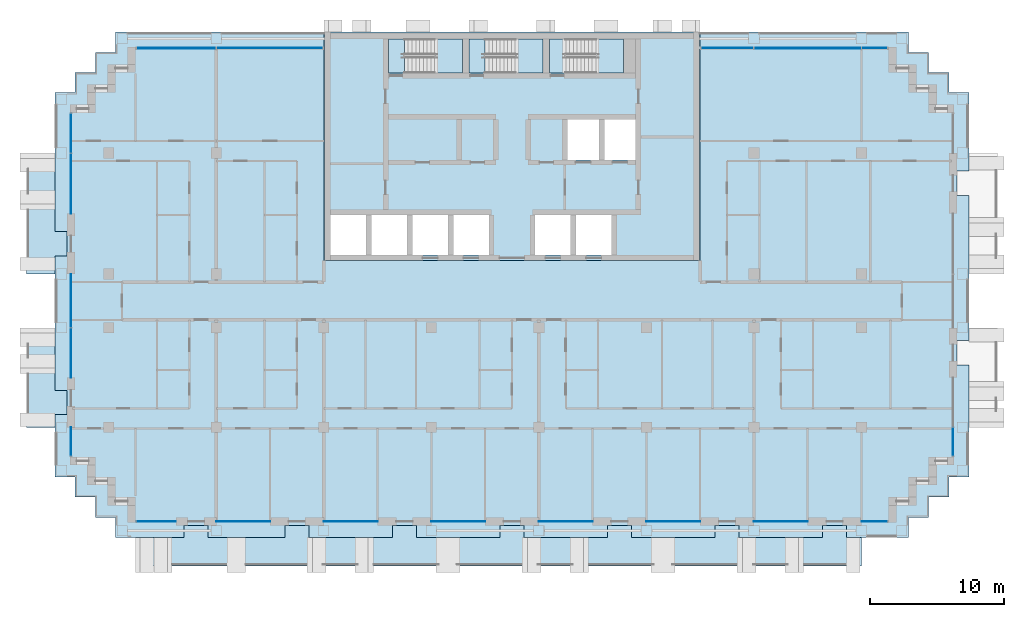
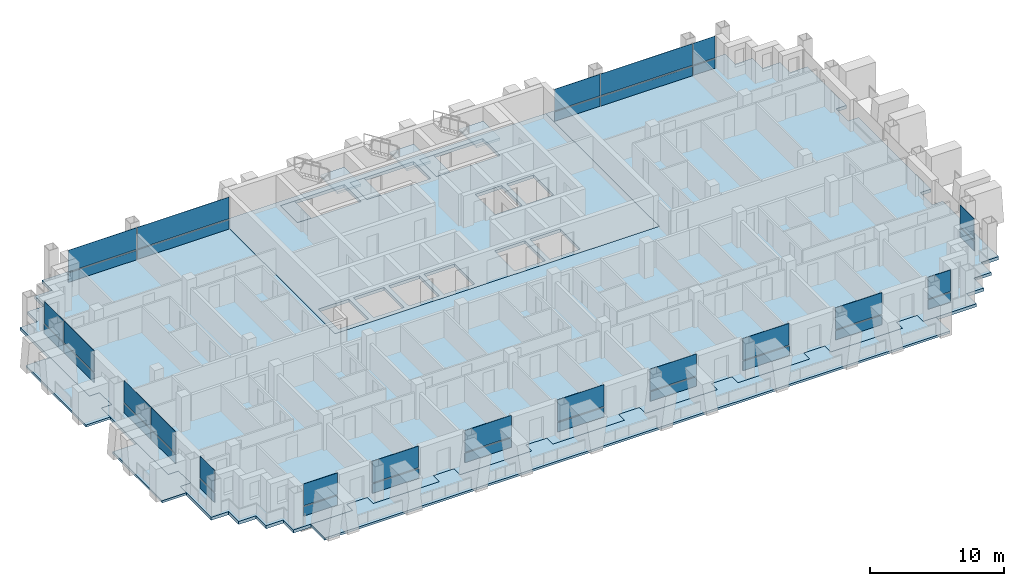
# One storey, part 6 of 17: 38 plates, 11 slabs, 17 elements without a shape of their own.
"""IFC4 building model written with IfcOpenShell, lengths in metres."""

from ifc_helpers import new_model, si_unit, direction, frame, origin, origin_2d, place, context, subcontext, project, spatial, polyline, rectangle, outline, extrude, material, layer, layer_set, type_object, element, aggregate, save


model = new_model("IFC4")

# Units and contexts
model_context = context("Model", 3, precision=1e-05, world=origin(), true_north=direction((0.0, 1.0)))
body_context = subcontext(model_context, "Body", "Model", "MODEL_VIEW")
ifc_project = project(units=[si_unit("LENGTHUNIT", "METRE"), si_unit("AREAUNIT", "SQUARE_METRE"), si_unit("VOLUMEUNIT", "CUBIC_METRE"), si_unit("PLANEANGLEUNIT", "RADIAN"), si_unit("MASSUNIT", "GRAM", prefix="KILO")], contexts=[model_context])

# Site, building, storey
site_placement = place(None, origin())
site = spatial("IfcSite", under=ifc_project, at=site_placement, CompositionType="ELEMENT")
building_placement = place(site_placement, origin())
building = spatial("IfcBuilding", under=site, at=building_placement, Name="Vidyagriha Tower", CompositionType="ELEMENT")
storey_placement = place(building_placement, frame((0.0, 0.0, 119.800048828125)))
storey = spatial("IfcBuildingStorey", under=building, at=storey_placement, Name="L30", CompositionType="ELEMENT", Elevation=119.800048828125)

# Curtain wall, plates
ifc_material_1 = material(Name="Aluminium and glass curtain wall", Category="aluminium")
curtain_wall_type = type_object("IfcCurtainWallType", Name="Dwelling skin unitised curtain wall", PredefinedType="USERDEFINED", material=ifc_material_1)
curtain_wall_1_placement = place(storey_placement, origin())
curtain_wall_1 = element("IfcCurtainWall", 1, at=curtain_wall_1_placement, inside=storey, type_object=curtain_wall_type, Name="CW1 dwelling skin", ObjectType="UNITISED", PredefinedType="USERDEFINED")
ifc_material_2 = material(Name="Glass dark ceramic-fritted spandrel", Category="glass")
ifc_layer_1 = layer(ifc_material_2, 0.0400390625)
ifc_layer_set_1 = layer_set([ifc_layer_1], Name="Glass dark ceramic-fritted spandrel")
plate_type_1 = type_object("IfcPlateType", Name="Ceramic-fritted spandrel panel", PredefinedType="CURTAIN_PANEL", material=ifc_layer_set_1)
plate_1_placement = place(storey_placement, frame((26.982421875, 18.800048828125, 0.0), z_axis=(0.0, 0.0, 1.0), x_axis=(-1.0, 0.0, 0.0)))
plate_1 = element("IfcPlate", 2, at=plate_1_placement, type_object=plate_type_1, Name="CW1 panel 1.1", PredefinedType="CURTAIN_PANEL", context=body_context, shape_type="SweptSolid", body=[
    extrude(rectangle(XDim=1.89501953125, YDim=0.0400390625, at=origin_2d()), origin(), (0.0, 0.0, 1.0), 0.85009765625),
])
plate_2_placement = place(storey_placement, frame((16.017578125, 18.800048828125, 0.0), z_axis=(0.0, 0.0, 1.0), x_axis=(-1.0, 0.0, 0.0)))
plate_2 = element("IfcPlate", 3, at=plate_2_placement, type_object=plate_type_1, Name="CW1 panel 3.1", PredefinedType="CURTAIN_PANEL", context=body_context, shape_type="SweptSolid", body=[
    extrude(rectangle(XDim=3.89501953125, YDim=0.0400390625, at=origin_2d()), origin(), (0.0, 0.0, 1.0), 0.85009765625),
])

# Curtain wall, plate
curtain_wall_2_placement = place(storey_placement, origin())
curtain_wall_2 = element("IfcCurtainWall", 4, at=curtain_wall_2_placement, inside=storey, type_object=curtain_wall_type, Name="CW1 dwelling skin", ObjectType="UNITISED", PredefinedType="USERDEFINED")
plate_3_placement = place(storey_placement, frame((-18.017578125, 18.800048828125, 0.0), z_axis=(0.0, 0.0, 1.0), x_axis=(-1.0, 0.0, 0.0)))
plate_3 = element("IfcPlate", 5, at=plate_3_placement, type_object=plate_type_1, Name="CW1 panel 1.1", PredefinedType="CURTAIN_PANEL", context=body_context, shape_type="SweptSolid", body=[
    extrude(rectangle(XDim=7.89501953125, YDim=0.0400390625, at=origin_2d()), origin(), (0.0, 0.0, 1.0), 0.85009765625),
])

# Curtain wall, plates
curtain_wall_3_placement = place(storey_placement, origin())
curtain_wall_3 = element("IfcCurtainWall", 6, at=curtain_wall_3_placement, inside=storey, type_object=curtain_wall_type, Name="CW1 dwelling skin", ObjectType="UNITISED", PredefinedType="USERDEFINED")
plate_4_placement = place(storey_placement, frame((-32.800048828125, 12.482421875, 0.0), z_axis=(0.0, 0.0, 1.0), x_axis=(0.0, -1.0, 0.0)))
plate_4 = element("IfcPlate", 7, at=plate_4_placement, type_object=plate_type_1, Name="CW1 panel 1.1", PredefinedType="CURTAIN_PANEL", context=body_context, shape_type="SweptSolid", body=[
    extrude(rectangle(XDim=2.89501953125, YDim=0.0400390625, at=origin_2d()), origin(), (0.0, 0.0, 1.0), 0.85009765625),
])
plate_5_placement = place(storey_placement, frame((-32.800048828125, 8.732421875, 0.0), z_axis=(0.0, 0.0, 1.0), x_axis=(0.0, -1.0, 0.0)))
plate_5 = element("IfcPlate", 8, at=plate_5_placement, type_object=plate_type_1, Name="CW1 panel 2.1", PredefinedType="CURTAIN_PANEL", context=body_context, shape_type="SweptSolid", body=[
    extrude(rectangle(XDim=4.465087890625, YDim=0.0400390625, at=origin_2d()), origin(), (0.0, 0.0, 1.0), 0.85009765625),
])

# Curtain wall, plate
curtain_wall_4_placement = place(storey_placement, origin())
curtain_wall_4 = element("IfcCurtainWall", 9, at=curtain_wall_4_placement, inside=storey, type_object=curtain_wall_type, Name="CW1 dwelling skin", ObjectType="UNITISED", PredefinedType="USERDEFINED")
plate_6_placement = place(storey_placement, frame((-32.800048828125, -10.465087890625, 0.0), z_axis=(0.0, 0.0, 1.0), x_axis=(0.0, -1.0, 0.0)))
plate_6 = element("IfcPlate", 10, at=plate_6_placement, type_object=plate_type_1, Name="CW1 panel 1.1", PredefinedType="CURTAIN_PANEL", context=body_context, shape_type="SweptSolid", body=[
    extrude(rectangle(XDim=2.1298828125, YDim=0.0400390625, at=origin_2d()), origin(), (0.0, 0.0, 1.0), 0.85009765625),
])

curtain_wall_5_placement = place(storey_placement, origin())
curtain_wall_5 = element("IfcCurtainWall", 11, at=curtain_wall_5_placement, inside=storey, type_object=curtain_wall_type, Name="CW1 dwelling skin", ObjectType="UNITISED", PredefinedType="USERDEFINED")
plate_7_placement = place(storey_placement, frame((-26.465087890625, -16.39990234375, 0.0)))
plate_7 = element("IfcPlate", 12, at=plate_7_placement, type_object=plate_type_1, Name="CW1 panel 1.1", PredefinedType="CURTAIN_PANEL", context=body_context, shape_type="SweptSolid", body=[
    extrude(rectangle(XDim=2.929931640625, YDim=0.0400390625, at=origin_2d()), origin(), (0.0, 0.0, 1.0), 0.85009765625),
])

curtain_wall_6_placement = place(storey_placement, origin())
curtain_wall_6 = element("IfcCurtainWall", 13, at=curtain_wall_6_placement, inside=storey, type_object=curtain_wall_type, Name="CW1 dwelling skin", ObjectType="UNITISED", PredefinedType="USERDEFINED")
plate_8_placement = place(storey_placement, frame((-12.0, -16.39990234375, 0.0)))
plate_8 = element("IfcPlate", 14, at=plate_8_placement, type_object=plate_type_1, Name="CW1 panel 1.1", PredefinedType="CURTAIN_PANEL", context=body_context, shape_type="SweptSolid", body=[
    extrude(rectangle(XDim=4.0, YDim=0.0400390625, at=origin_2d()), origin(), (0.0, 0.0, 1.0), 0.85009765625),
])

curtain_wall_7_placement = place(storey_placement, origin())
curtain_wall_7 = element("IfcCurtainWall", 15, at=curtain_wall_7_placement, inside=storey, type_object=curtain_wall_type, Name="CW1 dwelling skin", ObjectType="UNITISED", PredefinedType="USERDEFINED")
plate_9_placement = place(storey_placement, frame((4.0, -16.39990234375, 0.0)))
plate_9 = element("IfcPlate", 16, at=plate_9_placement, type_object=plate_type_1, Name="CW1 panel 1.1", PredefinedType="CURTAIN_PANEL", context=body_context, shape_type="SweptSolid", body=[
    extrude(rectangle(XDim=4.0, YDim=0.0400390625, at=origin_2d()), origin(), (0.0, 0.0, 1.0), 0.85009765625),
])

curtain_wall_8_placement = place(storey_placement, origin())
curtain_wall_8 = element("IfcCurtainWall", 17, at=curtain_wall_8_placement, inside=storey, type_object=curtain_wall_type, Name="CW1 dwelling skin", ObjectType="UNITISED", PredefinedType="USERDEFINED")
plate_10_placement = place(storey_placement, frame((20.0, -16.39990234375, 0.0)))
plate_10 = element("IfcPlate", 18, at=plate_10_placement, type_object=plate_type_1, Name="CW1 panel 1.1", PredefinedType="CURTAIN_PANEL", context=body_context, shape_type="SweptSolid", body=[
    extrude(rectangle(XDim=4.0, YDim=0.0400390625, at=origin_2d()), origin(), (0.0, 0.0, 1.0), 0.85009765625),
])

curtain_wall_9_placement = place(storey_placement, origin())
curtain_wall_9 = element("IfcCurtainWall", 19, at=curtain_wall_9_placement, inside=storey, type_object=curtain_wall_type, Name="CW1 dwelling skin", ObjectType="UNITISED", PredefinedType="USERDEFINED")
plate_11_placement = place(storey_placement, frame((26.965087890625, -16.39990234375, 0.0)))
plate_11 = element("IfcPlate", 20, at=plate_11_placement, type_object=plate_type_1, Name="CW1 panel 1.1", PredefinedType="CURTAIN_PANEL", context=body_context, shape_type="SweptSolid", body=[
    extrude(rectangle(XDim=1.929931640625, YDim=0.0400390625, at=origin_2d()), origin(), (0.0, 0.0, 1.0), 0.85009765625),
])

curtain_wall_10_placement = place(storey_placement, origin())
curtain_wall_10 = element("IfcCurtainWall", 21, at=curtain_wall_10_placement, inside=storey, type_object=curtain_wall_type, Name="CW1 dwelling skin", ObjectType="UNITISED", PredefinedType="USERDEFINED")
plate_12_placement = place(storey_placement, frame((32.800048828125, -10.482421875, 0.0), z_axis=(0.0, 0.0, 1.0), x_axis=(0.0, 1.0, 0.0)))
plate_12 = element("IfcPlate", 22, at=plate_12_placement, type_object=plate_type_1, Name="CW1 panel 1.1", PredefinedType="CURTAIN_PANEL", context=body_context, shape_type="SweptSolid", body=[
    extrude(rectangle(XDim=2.094970703125, YDim=0.0400390625, at=origin_2d()), origin(), (0.0, 0.0, 1.0), 0.85009765625),
])

# Slab
ifc_material_3 = material(Name="Concrete C60/75", Category="concrete")
ifc_layer_2 = layer(ifc_material_3, 0.280029296875)
ifc_layer_set_2 = layer_set([ifc_layer_2], Name="Concrete C60/75")
slab_type_1 = type_object("IfcSlabType", Name="Core floor slab 280 mm", PredefinedType="FLOOR", material=ifc_layer_set_2)
slab_1_placement = place(storey_placement, frame((0.0, 0.0, -0.280029296875)))
element("IfcSlab", 23, at=slab_1_placement, inside=storey, type_object=slab_type_1, Name="L30 core floor 1", PredefinedType="FLOOR", context=body_context, shape_type="SweptSolid", body=[
    extrude(outline(polyline([(-14.0, 3.0), (-14.0, 20.0), (14.0, 20.0), (14.0, 3.0), (-14.0, 3.0)]), holes=[polyline([(9.199951171875, 13.5), (6.86669921875, 13.5), (6.86669921875, 10.5), (9.199951171875, 10.5), (9.199951171875, 13.5)]), polyline([(4.0, 19.5), (2.800048828125, 19.5), (2.800048828125, 16.949951171875), (4.0, 16.949951171875), (8.300048828125, 16.949951171875), (8.300048828125, 19.5), (4.0, 19.5)]), polyline([(7.4111328125, 6.39990234375), (4.7666015625, 6.39990234375), (4.7666015625, 3.39990234375), (7.4111328125, 3.39990234375), (7.4111328125, 6.39990234375)]), polyline([(6.466796875, 13.5), (4.13330078125, 13.5), (4.13330078125, 10.5), (6.466796875, 10.5), (6.466796875, 13.5)]), polyline([(1.72216796875, 6.39990234375), (1.72216796875, 3.39990234375), (4.36669921875, 3.39990234375), (4.36669921875, 6.39990234375), (1.72216796875, 6.39990234375)]), polyline([(-2.0, 16.949951171875), (2.300048828125, 16.949951171875), (2.300048828125, 19.5), (-2.0, 19.5), (-3.199951171875, 19.5), (-3.199951171875, 16.949951171875), (-2.0, 16.949951171875)]), polyline([(-1.72216796875, 6.39990234375), (-4.36669921875, 6.39990234375), (-4.36669921875, 3.39990234375), (-1.72216796875, 3.39990234375), (-1.72216796875, 6.39990234375)]), polyline([(-8.0, 19.5), (-9.199951171875, 19.5), (-9.199951171875, 16.949951171875), (-8.0, 16.949951171875), (-3.699951171875, 16.949951171875), (-3.699951171875, 19.5), (-8.0, 19.5)]), polyline([(-4.7666015625, 6.39990234375), (-7.4111328125, 6.39990234375), (-7.4111328125, 3.39990234375), (-4.7666015625, 3.39990234375), (-4.7666015625, 6.39990234375)]), polyline([(-7.81103515625, 6.39990234375), (-10.45556640625, 6.39990234375), (-10.45556640625, 3.39990234375), (-7.81103515625, 3.39990234375), (-7.81103515625, 6.39990234375)]), polyline([(-13.5, 6.39990234375), (-13.5, 3.39990234375), (-10.855712890625, 3.39990234375), (-10.855712890625, 6.39990234375), (-13.5, 6.39990234375)])]), origin(), (0.0, 0.0, 1.0), 0.280029296875),
])

# Plate
ifc_material_4 = material(Name="Glass dark ceramic-fritted", Category="glass")
ifc_layer_3 = layer(ifc_material_4, 0.028076171875)
ifc_layer_set_3 = layer_set([ifc_layer_3], Name="Glass dark ceramic-fritted")
plate_type_2 = type_object("IfcPlateType", Name="Dark ceramic-fritted vision glass panel", PredefinedType="CURTAIN_PANEL", material=ifc_layer_set_3)
plate_13_placement = place(storey_placement, frame((26.982421875, 18.800048828125, 0.9501953125), z_axis=(0.0, 0.0, 1.0), x_axis=(-1.0, 0.0, 0.0)))
plate_13 = element("IfcPlate", 24, at=plate_13_placement, type_object=plate_type_2, Name="CW1 panel 1.2", PredefinedType="CURTAIN_PANEL", context=body_context, shape_type="SweptSolid", body=[
    extrude(rectangle(XDim=1.89501953125, YDim=0.028076171875, at=origin_2d()), origin(), (0.0, 0.0, 1.0), 1.969970703125),
])

plate_14_placement = place(storey_placement, frame((22.0, 18.800048828125, 0.9501953125), z_axis=(0.0, 0.0, 1.0), x_axis=(-1.0, 0.0, 0.0)))
plate_14 = element("IfcPlate", 25, at=plate_14_placement, type_object=plate_type_2, Name="CW1 panel 2.2", PredefinedType="CURTAIN_PANEL", context=body_context, shape_type="SweptSolid", body=[
    extrude(rectangle(XDim=7.929931640625, YDim=0.028076171875, at=origin_2d()), origin(), (0.0, 0.0, 1.0), 1.969970703125),
])

plate_15_placement = place(storey_placement, frame((16.017578125, 18.800048828125, 0.9501953125), z_axis=(0.0, 0.0, 1.0), x_axis=(-1.0, 0.0, 0.0)))
plate_15 = element("IfcPlate", 26, at=plate_15_placement, type_object=plate_type_2, Name="CW1 panel 3.2", PredefinedType="CURTAIN_PANEL", context=body_context, shape_type="SweptSolid", body=[
    extrude(rectangle(XDim=3.89501953125, YDim=0.028076171875, at=origin_2d()), origin(), (0.0, 0.0, 1.0), 1.969970703125),
])

plate_16_placement = place(storey_placement, frame((-18.017578125, 18.800048828125, 0.9501953125), z_axis=(0.0, 0.0, 1.0), x_axis=(-1.0, 0.0, 0.0)))
plate_16 = element("IfcPlate", 27, at=plate_16_placement, type_object=plate_type_2, Name="CW1 panel 1.2", PredefinedType="CURTAIN_PANEL", context=body_context, shape_type="SweptSolid", body=[
    extrude(rectangle(XDim=7.89501953125, YDim=0.028076171875, at=origin_2d()), origin(), (0.0, 0.0, 1.0), 1.969970703125),
])

plate_17_placement = place(storey_placement, frame((-24.982421875, 18.800048828125, 0.9501953125), z_axis=(0.0, 0.0, 1.0), x_axis=(-1.0, 0.0, 0.0)))
plate_17 = element("IfcPlate", 28, at=plate_17_placement, type_object=plate_type_2, Name="CW1 panel 2.2", PredefinedType="CURTAIN_PANEL", context=body_context, shape_type="SweptSolid", body=[
    extrude(rectangle(XDim=5.89501953125, YDim=0.028076171875, at=origin_2d()), origin(), (0.0, 0.0, 1.0), 1.969970703125),
])

plate_18_placement = place(storey_placement, frame((-32.800048828125, 12.482421875, 0.9501953125), z_axis=(0.0, 0.0, 1.0), x_axis=(0.0, -1.0, 0.0)))
plate_18 = element("IfcPlate", 29, at=plate_18_placement, type_object=plate_type_2, Name="CW1 panel 1.2", PredefinedType="CURTAIN_PANEL", context=body_context, shape_type="SweptSolid", body=[
    extrude(rectangle(XDim=2.89501953125, YDim=0.028076171875, at=origin_2d()), origin(), (0.0, 0.0, 1.0), 1.969970703125),
])

plate_19_placement = place(storey_placement, frame((-32.800048828125, 8.732421875, 0.9501953125), z_axis=(0.0, 0.0, 1.0), x_axis=(0.0, -1.0, 0.0)))
plate_19 = element("IfcPlate", 30, at=plate_19_placement, type_object=plate_type_2, Name="CW1 panel 2.2", PredefinedType="CURTAIN_PANEL", context=body_context, shape_type="SweptSolid", body=[
    extrude(rectangle(XDim=4.465087890625, YDim=0.028076171875, at=origin_2d()), origin(), (0.0, 0.0, 1.0), 1.969970703125),
])

aggregate(curtain_wall_3, [plate_4, plate_18, plate_5, plate_19])

# Curtain wall, plates
curtain_wall_11_placement = place(storey_placement, origin())
curtain_wall_11 = element("IfcCurtainWall", 31, at=curtain_wall_11_placement, inside=storey, type_object=curtain_wall_type, Name="CW1 dwelling skin", ObjectType="UNITISED", PredefinedType="USERDEFINED")
plate_20_placement = place(storey_placement, frame((-32.800048828125, 0.017578125, 0.9501953125), z_axis=(0.0, 0.0, 1.0), x_axis=(0.0, -1.0, 0.0)))
plate_20 = element("IfcPlate", 32, at=plate_20_placement, type_object=plate_type_2, Name="CW1 panel 1.2", PredefinedType="CURTAIN_PANEL", context=body_context, shape_type="SweptSolid", body=[
    extrude(rectangle(XDim=3.965087890625, YDim=0.028076171875, at=origin_2d()), origin(), (0.0, 0.0, 1.0), 1.969970703125),
])
plate_21_placement = place(storey_placement, frame((-32.800048828125, -3.867431640625, 0.9501953125), z_axis=(0.0, 0.0, 1.0), x_axis=(0.0, -1.0, 0.0)))
plate_21 = element("IfcPlate", 33, at=plate_21_placement, type_object=plate_type_2, Name="CW1 panel 2.2", PredefinedType="CURTAIN_PANEL", context=body_context, shape_type="SweptSolid", body=[
    extrude(rectangle(XDim=3.6650390625, YDim=0.028076171875, at=origin_2d()), origin(), (0.0, 0.0, 1.0), 1.969970703125),
])

# Plate
plate_22_placement = place(storey_placement, frame((-32.800048828125, -10.465087890625, 0.9501953125), z_axis=(0.0, 0.0, 1.0), x_axis=(0.0, -1.0, 0.0)))
plate_22 = element("IfcPlate", 34, at=plate_22_placement, type_object=plate_type_2, Name="CW1 panel 1.2", PredefinedType="CURTAIN_PANEL", context=body_context, shape_type="SweptSolid", body=[
    extrude(rectangle(XDim=2.1298828125, YDim=0.028076171875, at=origin_2d()), origin(), (0.0, 0.0, 1.0), 1.969970703125),
])

aggregate(curtain_wall_4, [plate_6, plate_22])

plate_23_placement = place(storey_placement, frame((-26.465087890625, -16.39990234375, 0.9501953125)))
plate_23 = element("IfcPlate", 35, at=plate_23_placement, type_object=plate_type_2, Name="CW1 panel 1.2", PredefinedType="CURTAIN_PANEL", context=body_context, shape_type="SweptSolid", body=[
    extrude(rectangle(XDim=2.929931640625, YDim=0.028076171875, at=origin_2d()), origin(), (0.0, 0.0, 1.0), 1.969970703125),
])

aggregate(curtain_wall_5, [plate_7, plate_23])

# Curtain wall, plate
curtain_wall_12_placement = place(storey_placement, origin())
curtain_wall_12 = element("IfcCurtainWall", 36, at=curtain_wall_12_placement, inside=storey, type_object=curtain_wall_type, Name="CW1 dwelling skin", ObjectType="UNITISED", PredefinedType="USERDEFINED")
plate_24_placement = place(storey_placement, frame((-20.0, -16.39990234375, 0.9501953125)))
plate_24 = element("IfcPlate", 37, at=plate_24_placement, type_object=plate_type_2, Name="CW1 panel 1.2", PredefinedType="CURTAIN_PANEL", context=body_context, shape_type="SweptSolid", body=[
    extrude(rectangle(XDim=4.0, YDim=0.028076171875, at=origin_2d()), origin(), (0.0, 0.0, 1.0), 1.969970703125),
])

# Plate
plate_25_placement = place(storey_placement, frame((-12.0, -16.39990234375, 0.9501953125)))
plate_25 = element("IfcPlate", 38, at=plate_25_placement, type_object=plate_type_2, Name="CW1 panel 1.2", PredefinedType="CURTAIN_PANEL", context=body_context, shape_type="SweptSolid", body=[
    extrude(rectangle(XDim=4.0, YDim=0.028076171875, at=origin_2d()), origin(), (0.0, 0.0, 1.0), 1.969970703125),
])

aggregate(curtain_wall_6, [plate_8, plate_25])

# Curtain wall, plate
curtain_wall_13_placement = place(storey_placement, origin())
curtain_wall_13 = element("IfcCurtainWall", 39, at=curtain_wall_13_placement, inside=storey, type_object=curtain_wall_type, Name="CW1 dwelling skin", ObjectType="UNITISED", PredefinedType="USERDEFINED")
plate_26_placement = place(storey_placement, frame((-4.0, -16.39990234375, 0.9501953125)))
plate_26 = element("IfcPlate", 40, at=plate_26_placement, type_object=plate_type_2, Name="CW1 panel 1.2", PredefinedType="CURTAIN_PANEL", context=body_context, shape_type="SweptSolid", body=[
    extrude(rectangle(XDim=4.0, YDim=0.028076171875, at=origin_2d()), origin(), (0.0, 0.0, 1.0), 1.969970703125),
])

# Plate
plate_27_placement = place(storey_placement, frame((4.0, -16.39990234375, 0.9501953125)))
plate_27 = element("IfcPlate", 41, at=plate_27_placement, type_object=plate_type_2, Name="CW1 panel 1.2", PredefinedType="CURTAIN_PANEL", context=body_context, shape_type="SweptSolid", body=[
    extrude(rectangle(XDim=4.0, YDim=0.028076171875, at=origin_2d()), origin(), (0.0, 0.0, 1.0), 1.969970703125),
])

aggregate(curtain_wall_7, [plate_9, plate_27])

# Curtain wall, plate
curtain_wall_14_placement = place(storey_placement, origin())
curtain_wall_14 = element("IfcCurtainWall", 42, at=curtain_wall_14_placement, inside=storey, type_object=curtain_wall_type, Name="CW1 dwelling skin", ObjectType="UNITISED", PredefinedType="USERDEFINED")
plate_28_placement = place(storey_placement, frame((12.0, -16.39990234375, 0.9501953125)))
plate_28 = element("IfcPlate", 43, at=plate_28_placement, type_object=plate_type_2, Name="CW1 panel 1.2", PredefinedType="CURTAIN_PANEL", context=body_context, shape_type="SweptSolid", body=[
    extrude(rectangle(XDim=4.0, YDim=0.028076171875, at=origin_2d()), origin(), (0.0, 0.0, 1.0), 1.969970703125),
])

# Plate
plate_29_placement = place(storey_placement, frame((20.0, -16.39990234375, 0.9501953125)))
plate_29 = element("IfcPlate", 44, at=plate_29_placement, type_object=plate_type_2, Name="CW1 panel 1.2", PredefinedType="CURTAIN_PANEL", context=body_context, shape_type="SweptSolid", body=[
    extrude(rectangle(XDim=4.0, YDim=0.028076171875, at=origin_2d()), origin(), (0.0, 0.0, 1.0), 1.969970703125),
])

aggregate(curtain_wall_8, [plate_10, plate_29])

plate_30_placement = place(storey_placement, frame((26.965087890625, -16.39990234375, 0.9501953125)))
plate_30 = element("IfcPlate", 45, at=plate_30_placement, type_object=plate_type_2, Name="CW1 panel 1.2", PredefinedType="CURTAIN_PANEL", context=body_context, shape_type="SweptSolid", body=[
    extrude(rectangle(XDim=1.929931640625, YDim=0.028076171875, at=origin_2d()), origin(), (0.0, 0.0, 1.0), 1.969970703125),
])

aggregate(curtain_wall_9, [plate_11, plate_30])

plate_31_placement = place(storey_placement, frame((32.800048828125, -10.482421875, 0.9501953125), z_axis=(0.0, 0.0, 1.0), x_axis=(0.0, 1.0, 0.0)))
plate_31 = element("IfcPlate", 46, at=plate_31_placement, type_object=plate_type_2, Name="CW1 panel 1.2", PredefinedType="CURTAIN_PANEL", context=body_context, shape_type="SweptSolid", body=[
    extrude(rectangle(XDim=2.094970703125, YDim=0.028076171875, at=origin_2d()), origin(), (0.0, 0.0, 1.0), 1.969970703125),
])

aggregate(curtain_wall_10, [plate_12, plate_31])

# Slabs
ifc_material_5 = material(Name="Concrete C40/50", Category="concrete")
ifc_layer_4 = layer(ifc_material_5, 0.280029296875)
ifc_layer_set_4 = layer_set([ifc_layer_4], Name="Concrete C40/50")
slab_type_2 = type_object("IfcSlabType", Name="Exit stair floor landing 280 mm", PredefinedType="LANDING", material=ifc_layer_set_4)
slab_2_placement = place(storey_placement, frame((0.0, 0.0, -0.280029296875)))
element("IfcSlab", 47, at=slab_2_placement, inside=storey, type_object=slab_type_2, Name="ST1 floor landing L30", PredefinedType="LANDING", context=body_context, shape_type="SweptSolid", body=[
    extrude(outline(polyline([(-9.199951171875, 16.949951171875), (-8.0, 16.949951171875), (-8.0, 19.5), (-9.199951171875, 19.5), (-9.199951171875, 16.949951171875)])), origin(), (0.0, 0.0, 1.0), 0.280029296875),
])
slab_3_placement = place(storey_placement, frame((0.0, 0.0, -0.280029296875)))
element("IfcSlab", 48, at=slab_3_placement, inside=storey, type_object=slab_type_2, Name="ST2 floor landing L30", PredefinedType="LANDING", context=body_context, shape_type="SweptSolid", body=[
    extrude(outline(polyline([(-3.199951171875, 16.949951171875), (-2.0, 16.949951171875), (-2.0, 19.5), (-3.199951171875, 19.5), (-3.199951171875, 16.949951171875)])), origin(), (0.0, 0.0, 1.0), 0.280029296875),
])
slab_4_placement = place(storey_placement, frame((0.0, 0.0, -0.280029296875)))
element("IfcSlab", 49, at=slab_4_placement, inside=storey, type_object=slab_type_2, Name="ST3 floor landing L30", PredefinedType="LANDING", context=body_context, shape_type="SweptSolid", body=[
    extrude(outline(polyline([(2.800048828125, 16.949951171875), (4.0, 16.949951171875), (4.0, 19.5), (2.800048828125, 19.5), (2.800048828125, 16.949951171875)])), origin(), (0.0, 0.0, 1.0), 0.280029296875),
])

# Stair, slab
ifc_material_6 = material(Name="Concrete C40/50", Category="concrete")
stair_type = type_object("IfcStairType", Name="Exit stair, half-turn, precast flights", PredefinedType="HALF_TURN_STAIR", material=ifc_material_6)
stair_1_placement = place(storey_placement, origin())
stair_1 = element("IfcStair", 50, at=stair_1_placement, inside=storey, type_object=stair_type, Name="L30 Exit Stair ST1", PredefinedType="HALF_TURN_STAIR")
ifc_material_7 = material(Name="Concrete C40/50", Category="concrete")
ifc_layer_5 = layer(ifc_material_7, 0.199951171875)
ifc_layer_set_5 = layer_set([ifc_layer_5], Name="Concrete C40/50")
slab_type_3 = type_object("IfcSlabType", Name="Exit stair landing 200 mm", PredefinedType="LANDING", material=ifc_layer_set_5)
slab_5_placement = place(storey_placement, frame((0.0, 0.0, 1.39990234375)))
slab_5 = element("IfcSlab", 51, at=slab_5_placement, type_object=slab_type_3, Name="ST1 landing 1", PredefinedType="LANDING", context=body_context, shape_type="SweptSolid", body=[
    extrude(outline(polyline([(-5.760009765625, 16.949951171875), (-3.699951171875, 16.949951171875), (-3.699951171875, 19.5), (-5.760009765625, 19.5), (-5.760009765625, 16.949951171875)])), origin(), (0.0, 0.0, 1.0), 0.199951171875),
])
aggregate(stair_1, [slab_5])

stair_2_placement = place(storey_placement, origin())
stair_2 = element("IfcStair", 52, at=stair_2_placement, inside=storey, type_object=stair_type, Name="L30 Exit Stair ST2", PredefinedType="HALF_TURN_STAIR")
slab_6_placement = place(storey_placement, frame((0.0, 0.0, 1.39990234375)))
slab_6 = element("IfcSlab", 53, at=slab_6_placement, type_object=slab_type_3, Name="ST2 landing 1", PredefinedType="LANDING", context=body_context, shape_type="SweptSolid", body=[
    extrude(outline(polyline([(0.239990234375, 16.949951171875), (2.300048828125, 16.949951171875), (2.300048828125, 19.5), (0.239990234375, 19.5), (0.239990234375, 16.949951171875)])), origin(), (0.0, 0.0, 1.0), 0.199951171875),
])
aggregate(stair_2, [slab_6])

stair_3_placement = place(storey_placement, origin())
stair_3 = element("IfcStair", 54, at=stair_3_placement, inside=storey, type_object=stair_type, Name="L30 Exit Stair ST3", PredefinedType="HALF_TURN_STAIR")
slab_7_placement = place(storey_placement, frame((0.0, 0.0, 1.39990234375)))
slab_7 = element("IfcSlab", 55, at=slab_7_placement, type_object=slab_type_3, Name="ST3 landing 1", PredefinedType="LANDING", context=body_context, shape_type="SweptSolid", body=[
    extrude(outline(polyline([(6.239990234375, 16.949951171875), (8.300048828125, 16.949951171875), (8.300048828125, 19.5), (6.239990234375, 19.5), (6.239990234375, 16.949951171875)])), origin(), (0.0, 0.0, 1.0), 0.199951171875),
])
aggregate(stair_3, [slab_7])

# Plate
ifc_material_8 = material(Name="Aluminium black anodised", Category="aluminium")
ifc_layer_6 = layer(ifc_material_8, 0.06005859375)
ifc_layer_set_6 = layer_set([ifc_layer_6], Name="Aluminium black anodised")
plate_type_3 = type_object("IfcPlateType", Name="Operable black-metal vent panel", PredefinedType="CURTAIN_PANEL", material=ifc_layer_set_6)
plate_32_placement = place(storey_placement, frame((22.0, 18.800048828125, 0.0), z_axis=(0.0, 0.0, 1.0), x_axis=(-1.0, 0.0, 0.0)))
plate_32 = element("IfcPlate", 56, at=plate_32_placement, type_object=plate_type_3, Name="CW1 panel 2.1", PredefinedType="CURTAIN_PANEL", context=body_context, shape_type="SweptSolid", body=[
    extrude(rectangle(XDim=7.929931640625, YDim=0.06005859375, at=origin_2d()), origin(), (0.0, 0.0, 1.0), 0.85009765625),
])

aggregate(curtain_wall_1, [plate_1, plate_13, plate_32, plate_14, plate_2, plate_15])

plate_33_placement = place(storey_placement, frame((-24.982421875, 18.800048828125, 0.0), z_axis=(0.0, 0.0, 1.0), x_axis=(-1.0, 0.0, 0.0)))
plate_33 = element("IfcPlate", 57, at=plate_33_placement, type_object=plate_type_3, Name="CW1 panel 2.1", PredefinedType="CURTAIN_PANEL", context=body_context, shape_type="SweptSolid", body=[
    extrude(rectangle(XDim=5.89501953125, YDim=0.06005859375, at=origin_2d()), origin(), (0.0, 0.0, 1.0), 0.85009765625),
])

aggregate(curtain_wall_2, [plate_3, plate_16, plate_33, plate_17])

plate_34_placement = place(storey_placement, frame((-32.800048828125, 0.017578125, 0.0), z_axis=(0.0, 0.0, 1.0), x_axis=(0.0, -1.0, 0.0)))
plate_34 = element("IfcPlate", 58, at=plate_34_placement, type_object=plate_type_3, Name="CW1 panel 1.1", PredefinedType="CURTAIN_PANEL", context=body_context, shape_type="SweptSolid", body=[
    extrude(rectangle(XDim=3.965087890625, YDim=0.06005859375, at=origin_2d()), origin(), (0.0, 0.0, 1.0), 0.85009765625),
])

plate_35_placement = place(storey_placement, frame((-32.800048828125, -3.867431640625, 0.0), z_axis=(0.0, 0.0, 1.0), x_axis=(0.0, -1.0, 0.0)))
plate_35 = element("IfcPlate", 59, at=plate_35_placement, type_object=plate_type_3, Name="CW1 panel 2.1", PredefinedType="CURTAIN_PANEL", context=body_context, shape_type="SweptSolid", body=[
    extrude(rectangle(XDim=3.6650390625, YDim=0.06005859375, at=origin_2d()), origin(), (0.0, 0.0, 1.0), 0.85009765625),
])

aggregate(curtain_wall_11, [plate_34, plate_20, plate_35, plate_21])

plate_36_placement = place(storey_placement, frame((-20.0, -16.39990234375, 0.0)))
plate_36 = element("IfcPlate", 60, at=plate_36_placement, type_object=plate_type_3, Name="CW1 panel 1.1", PredefinedType="CURTAIN_PANEL", context=body_context, shape_type="SweptSolid", body=[
    extrude(rectangle(XDim=4.0, YDim=0.06005859375, at=origin_2d()), origin(), (0.0, 0.0, 1.0), 0.85009765625),
])

aggregate(curtain_wall_12, [plate_36, plate_24])

plate_37_placement = place(storey_placement, frame((-4.0, -16.39990234375, 0.0)))
plate_37 = element("IfcPlate", 61, at=plate_37_placement, type_object=plate_type_3, Name="CW1 panel 1.1", PredefinedType="CURTAIN_PANEL", context=body_context, shape_type="SweptSolid", body=[
    extrude(rectangle(XDim=4.0, YDim=0.06005859375, at=origin_2d()), origin(), (0.0, 0.0, 1.0), 0.85009765625),
])

aggregate(curtain_wall_13, [plate_37, plate_26])

plate_38_placement = place(storey_placement, frame((12.0, -16.39990234375, 0.0)))
plate_38 = element("IfcPlate", 62, at=plate_38_placement, type_object=plate_type_3, Name="CW1 panel 1.1", PredefinedType="CURTAIN_PANEL", context=body_context, shape_type="SweptSolid", body=[
    extrude(rectangle(XDim=4.0, YDim=0.06005859375, at=origin_2d()), origin(), (0.0, 0.0, 1.0), 0.85009765625),
])

aggregate(curtain_wall_14, [plate_38, plate_28])

# Slabs
ifc_material_9 = material(Name="Concrete C50/60", Category="concrete")
ifc_layer_7 = layer(ifc_material_9, 0.280029296875)
ifc_layer_set_7 = layer_set([ifc_layer_7], Name="Concrete C50/60")
slab_type_4 = type_object("IfcSlabType", Name="Post-tensioned flat plate 280", PredefinedType="FLOOR", material=ifc_layer_set_7)
slab_8_placement = place(storey_placement, frame((0.0, 0.0, -0.280029296875)))
element("IfcSlab", 63, at=slab_8_placement, inside=storey, type_object=slab_type_4, Name="st-slab-L30-1", PredefinedType="FLOOR", context=body_context, shape_type="SweptSolid", body=[
    extrude(outline(polyline([(32.5, -14.60009765625), (31.0, -14.60009765625), (31.0, -16.10009765625), (29.5, -16.10009765625), (29.5, -17.60009765625), (24.89990234375, -17.60009765625), (24.89990234375, -16.699951171875), (23.10009765625, -16.699951171875), (23.10009765625, -17.60009765625), (16.89990234375, -17.60009765625), (16.89990234375, -16.699951171875), (15.10009765625, -16.699951171875), (15.10009765625, -17.60009765625), (8.89990234375, -17.60009765625), (8.89990234375, -16.699951171875), (7.10009765625, -16.699951171875), (7.10009765625, -17.60009765625), (0.89990234375, -17.60009765625), (0.89990234375, -16.699951171875), (-0.89990234375, -16.699951171875), (-0.89990234375, -17.60009765625), (-7.10009765625, -17.60009765625), (-7.10009765625, -16.699951171875), (-8.89990234375, -16.699951171875), (-8.89990234375, -17.60009765625), (-15.10009765625, -17.60009765625), (-15.10009765625, -16.699951171875), (-16.89990234375, -16.699951171875), (-16.89990234375, -17.60009765625), (-22.60009765625, -17.60009765625), (-22.60009765625, -16.699951171875), (-24.39990234375, -16.699951171875), (-24.39990234375, -17.60009765625), (-29.5, -17.60009765625), (-29.5, -16.10009765625), (-31.0, -16.10009765625), (-31.0, -14.60009765625), (-32.5, -14.60009765625), (-32.5, -13.10009765625), (-34.0, -13.10009765625), (-34.0, -8.449951171875), (-33.10009765625, -8.449951171875), (-33.10009765625, -6.64990234375), (-34.0, -6.64990234375), (-34.0, 3.35009765625), (-33.10009765625, 3.35009765625), (-33.10009765625, 5.14990234375), (-34.0, 5.14990234375), (-34.0, 15.5), (-32.5, 15.5), (-32.5, 17.0), (-31.0, 17.0), (-31.0, 18.5), (-29.5, 18.5), (-29.5, 20.0), (-14.0, 20.0), (-14.0, 3.0), (14.0, 3.0), (14.0, 20.0), (29.5, 20.0), (29.5, 18.5), (31.0, 18.5), (31.0, 17.0), (32.5, 17.0), (32.5, 15.5), (34.0, 15.5), (34.0, 9.64990234375), (33.10009765625, 9.64990234375), (33.10009765625, 7.85009765625), (34.0, 7.85009765625), (34.0, -2.949951171875), (33.10009765625, -2.949951171875), (33.10009765625, -4.75), (34.0, -4.75), (34.0, -13.10009765625), (32.5, -13.10009765625), (32.5, -14.60009765625)])), origin(), (0.0, 0.0, 1.0), 0.280029296875),
])
ifc_material_10 = material(Name="Precast concrete C40/50", Category="concrete")
ifc_layer_8 = layer(ifc_material_10, 0.199951171875)
ifc_layer_set_8 = layer_set([ifc_layer_8], Name="Precast concrete C40/50")
slab_type_5 = type_object("IfcSlabType", Name="Precast balcony slab 200", PredefinedType="USERDEFINED", material=ifc_layer_set_8)
slab_9_placement = place(storey_placement, frame((0.0, 0.0, -0.199951171875)))
element("IfcSlab", 64, at=slab_9_placement, inside=storey, type_object=slab_type_5, Name="Balcony slab L30 R16.1-1", ObjectType="BALCONY", PredefinedType="USERDEFINED", context=body_context, shape_type="SweptSolid", body=[
    extrude(outline(polyline([(-33.10009765625, 3.35009765625), (-33.10009765625, 5.14990234375), (-34.0, 5.14990234375), (-34.0, 11.0), (-36.10009765625, 11.0), (-36.10009765625, 2.0), (-34.0, 2.0), (-34.0, 3.35009765625), (-33.10009765625, 3.35009765625)])), origin(), (0.0, 0.0, 1.0), 0.199951171875),
])
slab_10_placement = place(storey_placement, frame((0.0, 0.0, -0.199951171875)))
element("IfcSlab", 65, at=slab_10_placement, inside=storey, type_object=slab_type_5, Name="Balcony slab L30 R16.2-2", ObjectType="BALCONY", PredefinedType="USERDEFINED", context=body_context, shape_type="SweptSolid", body=[
    extrude(outline(polyline([(-33.10009765625, -8.449951171875), (-33.10009765625, -6.64990234375), (-34.0, -6.64990234375), (-34.0, -2.0), (-36.10009765625, -2.0), (-36.10009765625, -9.39990234375), (-34.0, -9.39990234375), (-34.0, -8.449951171875), (-33.10009765625, -8.449951171875)])), origin(), (0.0, 0.0, 1.0), 0.199951171875),
])
slab_11_placement = place(storey_placement, frame((0.0, 0.0, -0.199951171875)))
element("IfcSlab", 66, at=slab_11_placement, inside=storey, type_object=slab_type_5, Name="Balcony slab L30 R23.1-7", ObjectType="BALCONY", PredefinedType="USERDEFINED", context=body_context, shape_type="SweptSolid", body=[
    extrude(outline(polyline([(-22.60009765625, -16.699951171875), (-24.39990234375, -16.699951171875), (-24.39990234375, -17.60009765625), (-28.0, -17.60009765625), (-28.0, -19.699951171875), (26.0, -19.699951171875), (26.0, -17.60009765625), (24.89990234375, -17.60009765625), (24.89990234375, -16.699951171875), (23.10009765625, -16.699951171875), (23.10009765625, -17.60009765625), (16.89990234375, -17.60009765625), (16.89990234375, -16.699951171875), (15.10009765625, -16.699951171875), (15.10009765625, -17.60009765625), (8.89990234375, -17.60009765625), (8.89990234375, -16.699951171875), (7.10009765625, -16.699951171875), (7.10009765625, -17.60009765625), (0.89990234375, -17.60009765625), (0.89990234375, -16.699951171875), (-0.89990234375, -16.699951171875), (-0.89990234375, -17.60009765625), (-7.10009765625, -17.60009765625), (-7.10009765625, -16.699951171875), (-8.89990234375, -16.699951171875), (-8.89990234375, -17.60009765625), (-15.10009765625, -17.60009765625), (-15.10009765625, -16.699951171875), (-16.89990234375, -16.699951171875), (-16.89990234375, -17.60009765625), (-22.60009765625, -17.60009765625), (-22.60009765625, -16.699951171875)])), origin(), (0.0, 0.0, 1.0), 0.199951171875),
])

save(model, "model.ifc")
